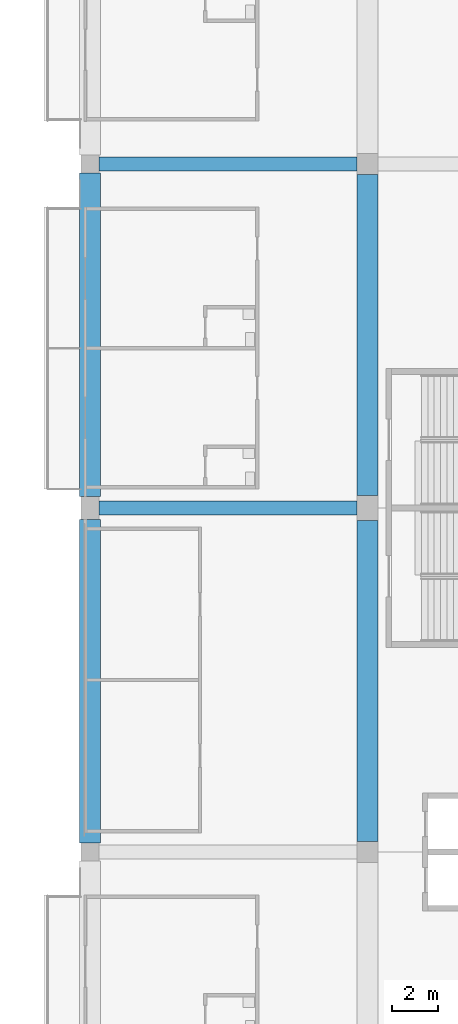
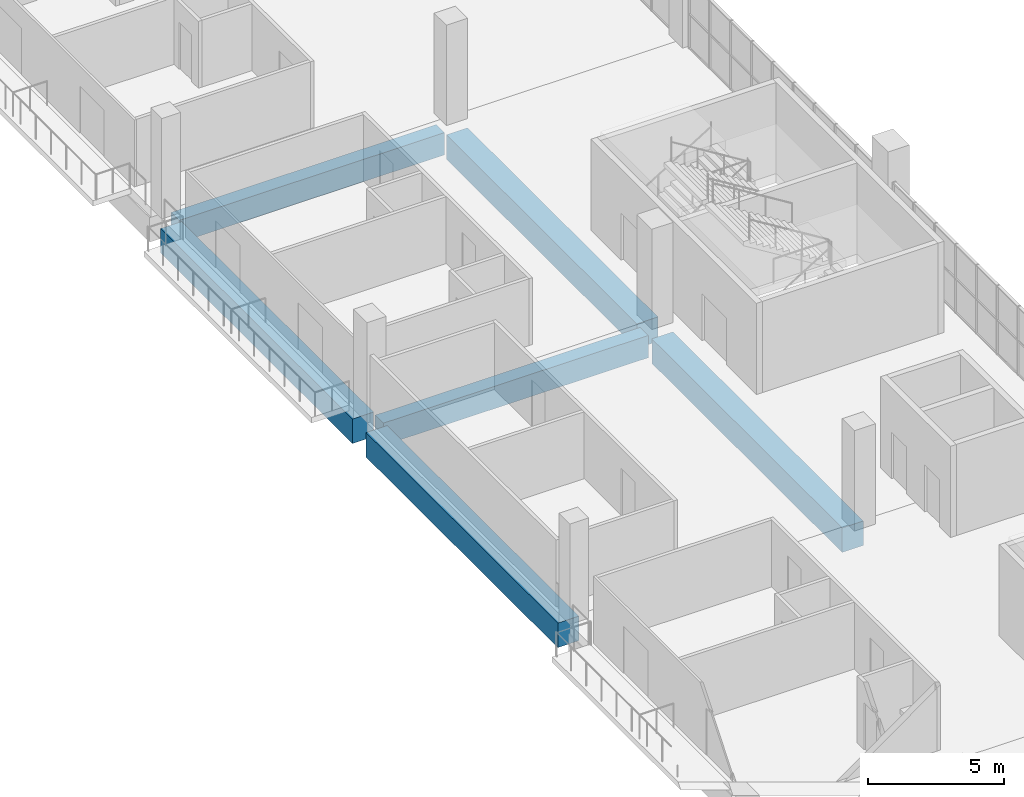
# One storey, part 31 of 199: 6 beams.
"""IFC4 building model written with IfcOpenShell, lengths in metres."""

from ifc_helpers import new_model, si_unit, direction, frame, origin, origin_2d, place, context, subcontext, project, spatial, rectangle, extrude, material, material_profile, profile_set, type_object, element, save


model = new_model("IFC4")

# Units and contexts
model_context = context("Model", 3, precision=1e-05, world=origin(), true_north=direction((0.0, 1.0)))
body_context = subcontext(model_context, "Body", "Model", "MODEL_VIEW")
ifc_project = project(units=[si_unit("LENGTHUNIT", "METRE"), si_unit("AREAUNIT", "SQUARE_METRE"), si_unit("VOLUMEUNIT", "CUBIC_METRE"), si_unit("PLANEANGLEUNIT", "RADIAN"), si_unit("MASSUNIT", "GRAM", prefix="KILO")], contexts=[model_context])

# Site, building, storey
site_placement = place(None, origin())
site = spatial("IfcSite", under=ifc_project, at=site_placement, CompositionType="ELEMENT")
building_placement = place(site_placement, origin())
building = spatial("IfcBuilding", under=site, at=building_placement, Name="Ogive Plaza Stadium", CompositionType="ELEMENT")
storey_placement = place(building_placement, frame((0.0, 0.0, 9.0)))
storey = spatial("IfcBuildingStorey", under=building, at=storey_placement, Name="L02", CompositionType="ELEMENT", Elevation=9.0)

# Beams
ifc_material_1 = material(Name="Concrete C40/50", Category="concrete")
ifc_material_profile_1 = material_profile(ifc_material_1, rectangle(XDim=0.60009765625, YDim=1.0, at=origin_2d()), Name="RC 600x1000")
ifc_profile_set_1 = profile_set([ifc_material_profile_1], Name="Concrete C40/50")
beam_type_1 = type_object("IfcBeamType", Name="RC radial beam 600x1000", PredefinedType="BEAM", material=ifc_profile_set_1)
for number, where, z_axis, x_axis, name in (
    (1, (62.300048828125, 22.5, -0.909912109375), (1.0, 0.0, 0.0), (0.0, 1.0, 0.0), "Radial beam L02 R03 F3F4"),
    (2, (62.300048828125, 7.5, -0.909912109375), (1.0, 0.0, 0.0), (0.0, 1.0, 0.0), "Radial beam L02 R04 F3F4"),
):
    element("IfcBeam", number, at=place(storey_placement, frame(where, z_axis=z_axis, x_axis=x_axis)), inside=storey, type_object=beam_type_1, Name=name, PredefinedType="BEAM", context=body_context, shape_type="SweptSolid", body=[
        extrude(rectangle(XDim=0.60009765625, YDim=1.0, at=origin_2d()), origin(), (0.0, 0.0, 1.0), 11.25),
    ])
ifc_material_2 = material(Name="Concrete C40/50", Category="concrete")
ifc_material_profile_2 = material_profile(ifc_material_2, rectangle(XDim=0.89990234375, YDim=1.10009765625, at=origin_2d()), Name="RC 900x1100")
ifc_profile_set_2 = profile_set([ifc_material_profile_2], Name="Concrete C40/50")
beam_type_2 = type_object("IfcBeamType", Name="RC ring beam 900x1100", PredefinedType="BEAM", material=ifc_profile_set_2)
beam_1_placement = place(storey_placement, frame((74.0, 22.050048828125, -0.9599609375), z_axis=(0.0, -1.0, 0.0), x_axis=(1.0, 0.0, 0.0)))
element("IfcBeam", 3, at=beam_1_placement, inside=storey, type_object=beam_type_2, Name="Ring beam F4 L02 B03", PredefinedType="BEAM", context=body_context, shape_type="SweptSolid", body=[
    extrude(rectangle(XDim=0.89990234375, YDim=1.10009765625, at=origin_2d()), origin(), (0.0, 0.0, 1.0), 14.0),
])
beam_2_placement = place(storey_placement, frame((61.89990234375, 22.10009765625, -0.9599609375), z_axis=(0.0, -1.0, 0.0), x_axis=(1.0, 0.0, 0.0)))
element("IfcBeam", 4, at=beam_2_placement, inside=storey, type_object=beam_type_2, Name="Ring beam F3 L02 B03", PredefinedType="BEAM", context=body_context, shape_type="SweptSolid", body=[
    extrude(rectangle(XDim=0.89990234375, YDim=1.10009765625, at=origin_2d()), origin(), (0.0, 0.0, 1.0), 14.10009765625),
])
beam_3_placement = place(storey_placement, frame((74.0, 6.949951171875, -0.9599609375), z_axis=(0.0, -1.0, 0.0), x_axis=(1.0, 0.0, 0.0)))
element("IfcBeam", 5, at=beam_3_placement, inside=storey, type_object=beam_type_2, Name="Ring beam F4 L02 B04", PredefinedType="BEAM", context=body_context, shape_type="SweptSolid", body=[
    extrude(rectangle(XDim=0.89990234375, YDim=1.10009765625, at=origin_2d()), origin(), (0.0, 0.0, 1.0), 14.0),
])
beam_4_placement = place(storey_placement, frame((61.89990234375, 7.0, -0.9599609375), z_axis=(0.0, -1.0, 0.0), x_axis=(1.0, 0.0, 0.0)))
element("IfcBeam", 6, at=beam_4_placement, inside=storey, type_object=beam_type_2, Name="Ring beam F3 L02 B04", PredefinedType="BEAM", context=body_context, shape_type="SweptSolid", body=[
    extrude(rectangle(XDim=0.89990234375, YDim=1.10009765625, at=origin_2d()), origin(), (0.0, 0.0, 1.0), 14.10009765625),
])

save(model, "model.ifc")
